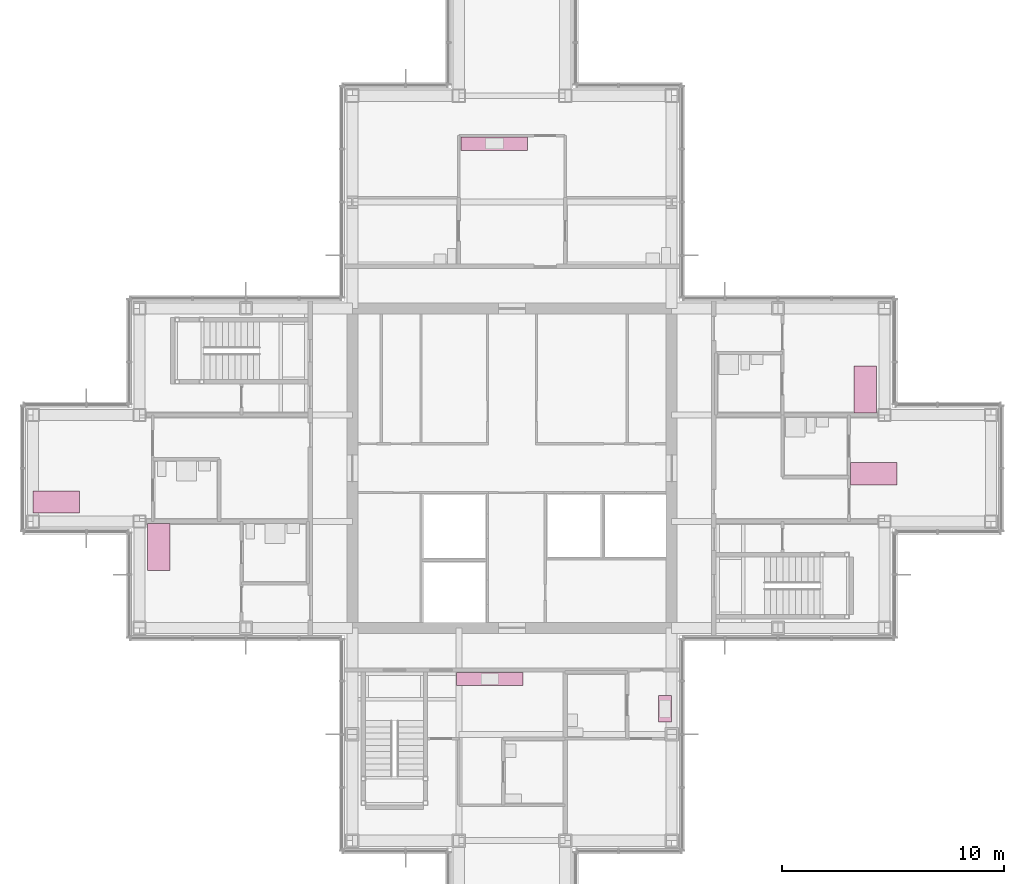
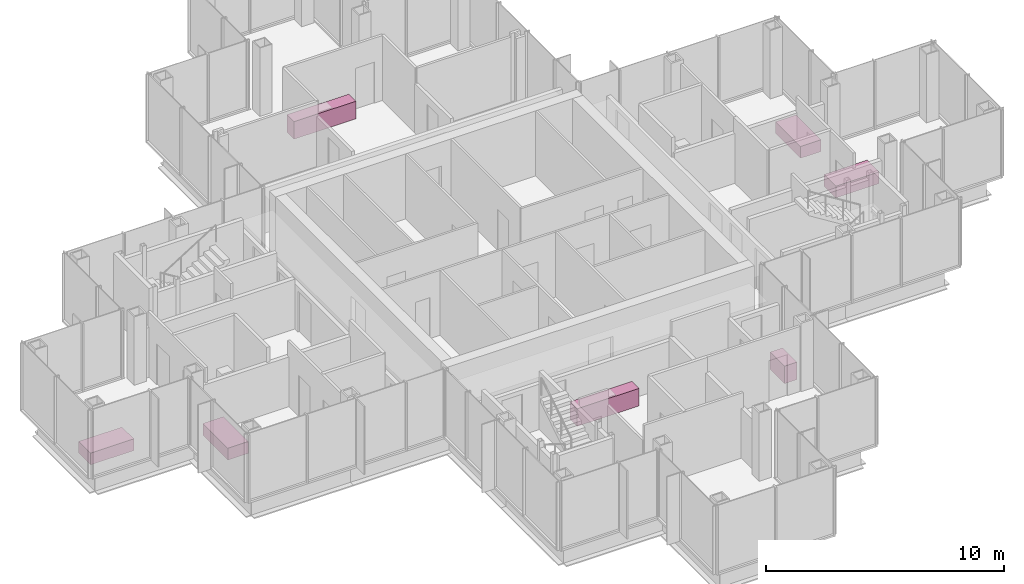
# One storey, part 17 of 17: 7 furniture elements.
"""IFC4 building model written with IfcOpenShell, lengths in metres."""

from ifc_helpers import new_model, si_unit, direction, frame, origin, origin_2d, place, context, subcontext, project, spatial, rectangle, extrude, material, type_object, element, save


model = new_model("IFC4")

# Units and contexts
model_context = context("Model", 3, precision=1e-05, world=origin(), true_north=direction((0.0, 1.0)))
body_context = subcontext(model_context, "Body", "Model", "MODEL_VIEW")
ifc_project = project(units=[si_unit("LENGTHUNIT", "METRE"), si_unit("AREAUNIT", "SQUARE_METRE"), si_unit("VOLUMEUNIT", "CUBIC_METRE"), si_unit("PLANEANGLEUNIT", "RADIAN"), si_unit("MASSUNIT", "GRAM", prefix="KILO")], contexts=[model_context])

# Site, building, storey
site_placement = place(None, origin())
site = spatial("IfcSite", under=ifc_project, at=site_placement, CompositionType="ELEMENT")
building_placement = place(site_placement, origin())
building = spatial("IfcBuilding", under=site, at=building_placement, Name="Kvirike Care Tower", CompositionType="ELEMENT")
storey_placement = place(building_placement, frame((0.0, 0.0, 162.0)))
storey = spatial("IfcBuildingStorey", under=building, at=storey_placement, Name="L44", CompositionType="ELEMENT", Elevation=162.0)

# Furniture
ifc_material_1 = material(Name="Steel frame", Category="steel")
furniture_type_1 = type_object("IfcFurnitureType", Name="CARE BED 1000 x 2100", AssemblyPlace="FACTORY", PredefinedType="BED", material=ifc_material_1)
for number, where, z_axis, x_axis, name in (
    (1, (1.052001953125, 34.469970703125, 0.0), (0.0, 0.0, 1.0), (0.0, 1.0, 0.0), "Care bed L44-005"),
    (2, (5.669921875, 32.447998046875, 0.0), (0.0, 0.0, 1.0), (1.0, 0.0, 0.0), "Care bed L44-008"),
    (3, (37.912109375, 35.75, 0.0), (0.0, 0.0, 1.0), (0.0, 1.0, 0.0), "Care bed L44-028"),
    (4, (37.530029296875, 39.552001953125, 0.0), (0.0, 0.0, 1.0), (-1.0, 0.0, 0.0), "Care bed L44-031"),
):
    element("IfcFurniture", number, at=place(storey_placement, frame(where, z_axis=z_axis, x_axis=x_axis)), inside=storey, type_object=furniture_type_1, Name=name, PredefinedType="BED", context=body_context, shape_type="SweptSolid", body=[
        extrude(rectangle(XDim=1.0, YDim=2.10009765625, at=origin_2d()), origin(), (0.0, 0.0, 1.0), 0.60009765625),
    ])
ifc_material_2 = material(Name="Laminated board", Category="wood")
furniture_type_2 = type_object("IfcFurnitureType", Name="KITCHEN UNIT RUN 600", AssemblyPlace="FACTORY", PredefinedType="USERDEFINED", material=ifc_material_2)
furniture_1_placement = place(storey_placement, frame((20.60009765625, 26.498046875, 0.0), z_axis=(0.0, 0.0, 1.0), x_axis=(1.0, 0.0, 0.0)))
element("IfcFurniture", 5, at=furniture_1_placement, inside=storey, type_object=furniture_type_2, Name="Kitchen unit run L44-015", ObjectType="KITCHEN UNIT", PredefinedType="USERDEFINED", context=body_context, shape_type="SweptSolid", body=[
    extrude(rectangle(XDim=3.0, YDim=0.60009765625, at=origin_2d()), origin(), (0.0, 0.0, 1.0), 0.89990234375),
])
furniture_2_placement = place(storey_placement, frame((28.498046875, 25.14990234375, 0.0), z_axis=(0.0, 0.0, 1.0), x_axis=(0.0, -1.0, 0.0)))
element("IfcFurniture", 6, at=furniture_2_placement, inside=storey, type_object=furniture_type_2, Name="Kitchen unit run L44-018", ObjectType="KITCHEN UNIT", PredefinedType="USERDEFINED", context=body_context, shape_type="SweptSolid", body=[
    extrude(rectangle(XDim=1.199951171875, YDim=0.60009765625, at=origin_2d()), origin(), (0.0, 0.0, 1.0), 0.89990234375),
])
furniture_3_placement = place(storey_placement, frame((20.81005859375, 50.637939453125, 0.0), z_axis=(0.0, 0.0, 1.0), x_axis=(1.0, 0.0, 0.0)))
element("IfcFurniture", 7, at=furniture_3_placement, inside=storey, type_object=furniture_type_2, Name="Kitchen unit run L44-023", ObjectType="KITCHEN UNIT", PredefinedType="USERDEFINED", context=body_context, shape_type="SweptSolid", body=[
    extrude(rectangle(XDim=3.0, YDim=0.60009765625, at=origin_2d()), origin(), (0.0, 0.0, 1.0), 0.89990234375),
])

save(model, "model.ifc")
